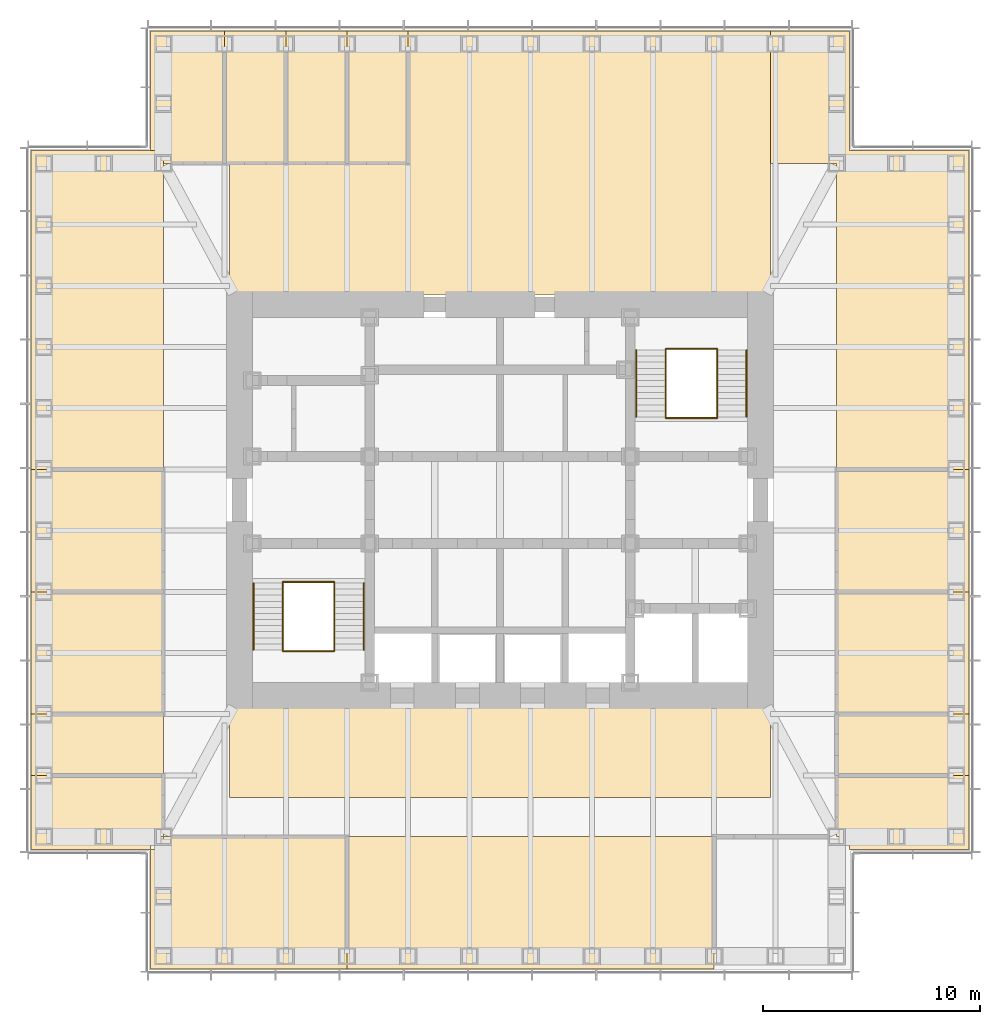
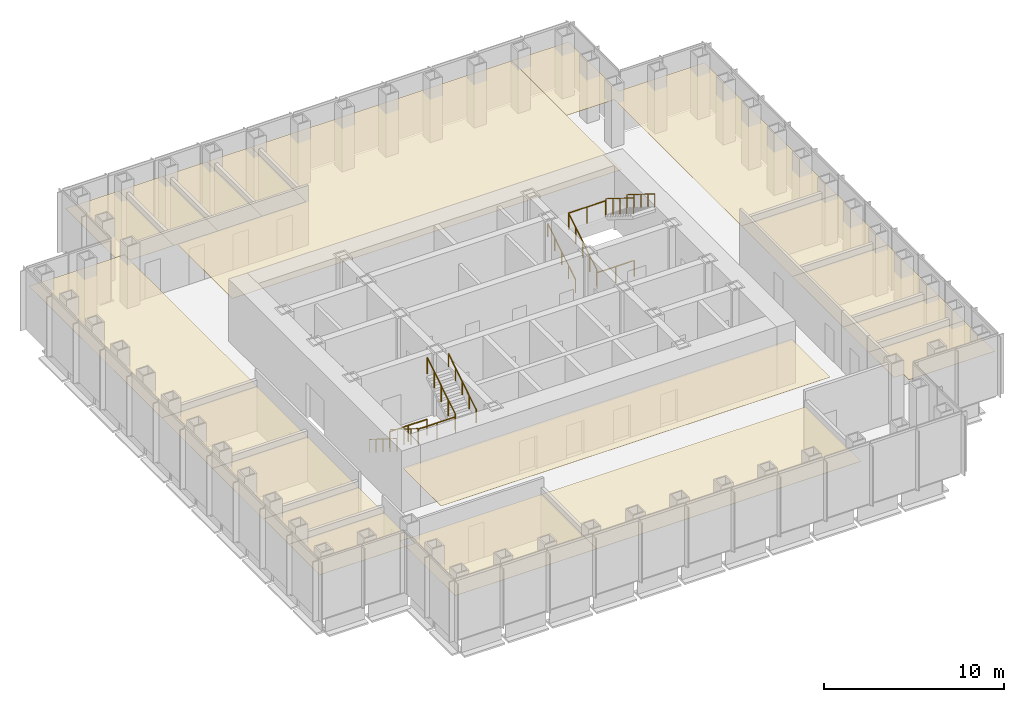
# One storey, part 16 of 16: 18 coverings, 12 railings.
"""IFC4 building model written with IfcOpenShell, lengths in metres."""

from ifc_helpers import new_model, si_unit, direction, frame, origin, origin_2d, place, context, subcontext, project, spatial, polyline, circle, outline, extrude, material, layer, layer_set, type_object, element, save


model = new_model("IFC4")

# Units and contexts
model_context = context("Model", 3, precision=1e-05, world=origin(), true_north=direction((0.0, 1.0)))
body_context = subcontext(model_context, "Body", "Model", "MODEL_VIEW")
ifc_project = project(units=[si_unit("LENGTHUNIT", "METRE"), si_unit("AREAUNIT", "SQUARE_METRE"), si_unit("VOLUMEUNIT", "CUBIC_METRE"), si_unit("PLANEANGLEUNIT", "RADIAN"), si_unit("MASSUNIT", "GRAM", prefix="KILO")], contexts=[model_context])

# Site, building, storey
site_placement = place(None, origin())
site = spatial("IfcSite", under=ifc_project, at=site_placement, CompositionType="ELEMENT")
building_placement = place(site_placement, origin())
building = spatial("IfcBuilding", under=site, at=building_placement, Name="Daluyong Arena Tower", CompositionType="ELEMENT")
storey_placement = place(building_placement, frame((0.0, 0.0, 231.699951171875)))
storey = spatial("IfcBuildingStorey", under=building, at=storey_placement, Name="L52", CompositionType="ELEMENT", Elevation=231.699951171875)

# Coverings
ifc_material_1 = material(Name="Mineral fibre ceiling tile", Category="gypsum board")
ifc_layer = layer(ifc_material_1, 0.02001953125)
ifc_layer_set = layer_set([ifc_layer], Name="Mineral fibre ceiling tile")
covering_type = type_object("IfcCoveringType", Name="Office ceiling", PredefinedType="CEILING", material=ifc_layer_set)
covering_1_placement = place(storey_placement, frame((0.0, 0.0, 2.900146484375)))
element("IfcCovering", 1, at=covering_1_placement, inside=storey, type_object=covering_type, Name="ceiling L52-01", PredefinedType="CEILING", context=body_context, shape_type="SweptSolid", body=[
    extrude(outline(polyline([(39.89990234375, 63.89990234375), (39.89990234375, 58.39990234375), (48.95458984375, 58.39990234375), (48.95458984375, 64.5), (40.5, 64.5), (40.5, 63.89990234375), (39.89990234375, 63.89990234375)])), origin(), (0.0, 0.0, 1.0), 0.02001953125),
])
covering_2_placement = place(storey_placement, frame((0.0, 0.0, 2.900146484375)))
element("IfcCovering", 2, at=covering_2_placement, inside=storey, type_object=covering_type, Name="ceiling L52-03", PredefinedType="CEILING", context=body_context, shape_type="SweptSolid", body=[
    extrude(outline(polyline([(72.10009765625, 63.89990234375), (77.60009765625, 63.89990234375), (77.60009765625, 67.318115234375), (71.5, 67.318115234375), (71.5, 64.5), (72.10009765625, 64.5), (72.10009765625, 63.89990234375)])), origin(), (0.0, 0.0, 1.0), 0.02001953125),
])
covering_3_placement = place(storey_placement, frame((0.0, 0.0, 2.900146484375)))
element("IfcCovering", 3, at=covering_3_placement, inside=storey, type_object=covering_type, Name="ceiling L52-04", PredefinedType="CEILING", context=body_context, shape_type="SweptSolid", body=[
    extrude(outline(polyline([(71.5, 67.318115234375), (77.60009765625, 67.318115234375), (77.60009765625, 70.136474609375), (71.5, 70.136474609375), (71.5, 67.318115234375)])), origin(), (0.0, 0.0, 1.0), 0.02001953125),
])
covering_4_placement = place(storey_placement, frame((0.0, 0.0, 2.900146484375)))
element("IfcCovering", 4, at=covering_4_placement, inside=storey, type_object=covering_type, Name="ceiling L52-05", PredefinedType="CEILING", context=body_context, shape_type="SweptSolid", body=[
    extrude(outline(polyline([(71.5, 70.136474609375), (77.60009765625, 70.136474609375), (77.60009765625, 75.772705078125), (71.5, 75.772705078125), (71.5, 70.136474609375)])), origin(), (0.0, 0.0, 1.0), 0.02001953125),
])
covering_5_placement = place(storey_placement, frame((0.0, 0.0, 2.900146484375)))
element("IfcCovering", 5, at=covering_5_placement, inside=storey, type_object=covering_type, Name="ceiling L52-06", PredefinedType="CEILING", context=body_context, shape_type="SweptSolid", body=[
    extrude(outline(polyline([(71.5, 75.772705078125), (77.60009765625, 75.772705078125), (77.60009765625, 81.4091796875), (71.5, 81.4091796875), (71.5, 75.772705078125)])), origin(), (0.0, 0.0, 1.0), 0.02001953125),
])
covering_6_placement = place(storey_placement, frame((0.0, 0.0, 2.900146484375)))
element("IfcCovering", 6, at=covering_6_placement, inside=storey, type_object=covering_type, Name="ceiling L52-07", PredefinedType="CEILING", context=body_context, shape_type="SweptSolid", body=[
    extrude(outline(polyline([(43.318115234375, 95.5), (43.318115234375, 101.60009765625), (39.89990234375, 101.60009765625), (39.89990234375, 96.10009765625), (40.5, 96.10009765625), (40.5, 95.5), (43.318115234375, 95.5)])), origin(), (0.0, 0.0, 1.0), 0.02001953125),
])
covering_7_placement = place(storey_placement, frame((0.0, 0.0, 2.900146484375)))
element("IfcCovering", 7, at=covering_7_placement, inside=storey, type_object=covering_type, Name="ceiling L52-08", PredefinedType="CEILING", context=body_context, shape_type="SweptSolid", body=[
    extrude(outline(polyline([(46.136474609375, 95.5), (46.136474609375, 101.60009765625), (43.318115234375, 101.60009765625), (43.318115234375, 95.5), (46.136474609375, 95.5)])), origin(), (0.0, 0.0, 1.0), 0.02001953125),
])
covering_8_placement = place(storey_placement, frame((0.0, 0.0, 2.900146484375)))
element("IfcCovering", 8, at=covering_8_placement, inside=storey, type_object=covering_type, Name="ceiling L52-09", PredefinedType="CEILING", context=body_context, shape_type="SweptSolid", body=[
    extrude(outline(polyline([(48.95458984375, 95.5), (48.95458984375, 101.60009765625), (46.136474609375, 101.60009765625), (46.136474609375, 95.5), (48.95458984375, 95.5)])), origin(), (0.0, 0.0, 1.0), 0.02001953125),
])
covering_9_placement = place(storey_placement, frame((0.0, 0.0, 2.900146484375)))
element("IfcCovering", 9, at=covering_9_placement, inside=storey, type_object=covering_type, Name="ceiling L52-10", PredefinedType="CEILING", context=body_context, shape_type="SweptSolid", body=[
    extrude(outline(polyline([(51.772705078125, 95.5), (51.772705078125, 101.60009765625), (48.95458984375, 101.60009765625), (48.95458984375, 95.5), (51.772705078125, 95.5)])), origin(), (0.0, 0.0, 1.0), 0.02001953125),
])
covering_10_placement = place(storey_placement, frame((0.0, 0.0, 2.900146484375)))
element("IfcCovering", 10, at=covering_10_placement, inside=storey, type_object=covering_type, Name="ceiling L52-11", PredefinedType="CEILING", context=body_context, shape_type="SweptSolid", body=[
    extrude(outline(polyline([(34.39990234375, 63.89990234375), (39.89990234375, 63.89990234375), (39.89990234375, 64.5), (40.5, 64.5), (40.5, 67.318115234375), (34.39990234375, 67.318115234375), (34.39990234375, 63.89990234375)])), origin(), (0.0, 0.0, 1.0), 0.02001953125),
])
covering_11_placement = place(storey_placement, frame((0.0, 0.0, 2.900146484375)))
element("IfcCovering", 11, at=covering_11_placement, inside=storey, type_object=covering_type, Name="ceiling L52-12", PredefinedType="CEILING", context=body_context, shape_type="SweptSolid", body=[
    extrude(outline(polyline([(40.5, 75.772705078125), (34.39990234375, 75.772705078125), (34.39990234375, 70.136474609375), (40.5, 70.136474609375), (40.5, 75.772705078125)])), origin(), (0.0, 0.0, 1.0), 0.02001953125),
])
covering_12_placement = place(storey_placement, frame((0.0, 0.0, 2.900146484375)))
element("IfcCovering", 12, at=covering_12_placement, inside=storey, type_object=covering_type, Name="ceiling L52-13", PredefinedType="CEILING", context=body_context, shape_type="SweptSolid", body=[
    extrude(outline(polyline([(40.5, 81.4091796875), (34.39990234375, 81.4091796875), (34.39990234375, 75.772705078125), (40.5, 75.772705078125), (40.5, 81.4091796875)])), origin(), (0.0, 0.0, 1.0), 0.02001953125),
])
covering_13_placement = place(storey_placement, frame((0.0, 0.0, 2.900146484375)))
element("IfcCovering", 13, at=covering_13_placement, inside=storey, type_object=covering_type, Name="ceiling L52-17", PredefinedType="CEILING", context=body_context, shape_type="SweptSolid", body=[
    extrude(outline(polyline([(48.95458984375, 58.39990234375), (65.863525390625, 58.39990234375), (65.863525390625, 64.5), (48.95458984375, 64.5), (48.95458984375, 58.39990234375)])), origin(), (0.0, 0.0, 1.0), 0.02001953125),
])
covering_14_placement = place(storey_placement, frame((0.0, 0.0, 2.900146484375)))
element("IfcCovering", 14, at=covering_14_placement, inside=storey, type_object=covering_type, Name="ceiling L52-18", PredefinedType="CEILING", context=body_context, shape_type="SweptSolid", body=[
    extrude(outline(polyline([(68.449951171875, 70.550048828125), (43.550048828125, 70.550048828125), (43.550048828125, 66.300048828125), (68.449951171875, 66.300048828125), (68.449951171875, 70.550048828125)])), origin(), (0.0, 0.0, 1.0), 0.02001953125),
])
covering_15_placement = place(storey_placement, frame((0.0, 0.0, 2.900146484375)))
element("IfcCovering", 15, at=covering_15_placement, inside=storey, type_object=covering_type, Name="ceiling L52-19", PredefinedType="CEILING", context=body_context, shape_type="SweptSolid", body=[
    extrude(outline(polyline([(72.10009765625, 101.60009765625), (68.449951171875, 101.60009765625), (68.449951171875, 95.5), (71.5, 95.5), (71.5, 81.4091796875), (77.60009765625, 81.4091796875), (77.60009765625, 96.10009765625), (72.10009765625, 96.10009765625), (72.10009765625, 101.60009765625)])), origin(), (0.0, 0.0, 1.0), 0.02001953125),
])
covering_16_placement = place(storey_placement, frame((0.0, 0.0, 2.900146484375)))
element("IfcCovering", 16, at=covering_16_placement, inside=storey, type_object=covering_type, Name="ceiling L52-20", PredefinedType="CEILING", context=body_context, shape_type="SweptSolid", body=[
    extrude(outline(polyline([(51.772705078125, 101.60009765625), (51.772705078125, 95.5), (43.550048828125, 95.5), (43.550048828125, 89.449951171875), (68.449951171875, 89.449951171875), (68.449951171875, 101.60009765625), (51.772705078125, 101.60009765625)])), origin(), (0.0, 0.0, 1.0), 0.02001953125),
])
covering_17_placement = place(storey_placement, frame((0.0, 0.0, 2.900146484375)))
element("IfcCovering", 17, at=covering_17_placement, inside=storey, type_object=covering_type, Name="ceiling L52-21", PredefinedType="CEILING", context=body_context, shape_type="SweptSolid", body=[
    extrude(outline(polyline([(34.39990234375, 70.136474609375), (34.39990234375, 67.318115234375), (40.5, 67.318115234375), (40.5, 70.136474609375), (34.39990234375, 70.136474609375)])), origin(), (0.0, 0.0, 1.0), 0.02001953125),
])
covering_18_placement = place(storey_placement, frame((0.0, 0.0, 2.900146484375)))
element("IfcCovering", 18, at=covering_18_placement, inside=storey, type_object=covering_type, Name="ceiling L52-22", PredefinedType="CEILING", context=body_context, shape_type="SweptSolid", body=[
    extrude(outline(polyline([(40.5, 96.10009765625), (34.39990234375, 96.10009765625), (34.39990234375, 81.4091796875), (40.5, 81.4091796875), (40.5, 96.10009765625)])), origin(), (0.0, 0.0, 1.0), 0.02001953125),
])

# Railings
ifc_material_2 = material(Name="Stainless steel handrail", Category="steel")
railing_type_1 = type_object("IfcRailingType", Name="Stair handrail", PredefinedType="HANDRAIL", material=ifc_material_2)
railing_1_placement = place(storey_placement, frame((44.64990234375, 76.175048828125, 0.175048828125)))
element("IfcRailing", 19, at=railing_1_placement, inside=storey, type_object=railing_type_1, Name="exit stair A handrail L52", PredefinedType="HANDRAIL", context=body_context, shape_type="SweptSolid", body=[
    extrude(circle(Radius=0.02392578125, at=origin_2d()), frame((0.0, 0.0, 0.8759765625), z_axis=(0.0, -0.847998304005, 0.529998940003), x_axis=(1.0, 0.0, 0.0)), (0.0, 0.0, 1.0), 3.632080078125),
    extrude(circle(Radius=0.02099609375, at=origin_2d()), origin(), (0.0, 0.0, 1.0), 0.851806640625),
    extrude(circle(Radius=0.02099609375, at=origin_2d()), frame((0.0, -0.77001953125, 0.481201171875)), (0.0, 0.0, 1.0), 0.851806640625),
    extrude(circle(Radius=0.02099609375, at=origin_2d()), frame((0.0, -1.5400390625, 0.96240234375)), (0.0, 0.0, 1.0), 0.851806640625),
    extrude(circle(Radius=0.02099609375, at=origin_2d()), frame((0.0, -2.31005859375, 1.44384765625)), (0.0, 0.0, 1.0), 0.851806640625),
    extrude(circle(Radius=0.02099609375, at=origin_2d()), frame((0.0, -3.080078125, 1.925048828125)), (0.0, 0.0, 1.0), 0.851806640625),
])
railing_2_placement = place(storey_placement, frame((49.72509765625, 73.094970703125, 2.275146484375)))
element("IfcRailing", 20, at=railing_2_placement, inside=storey, type_object=railing_type_1, Name="exit stair A handrail L52", PredefinedType="HANDRAIL", context=body_context, shape_type="SweptSolid", body=[
    extrude(circle(Radius=0.02392578125, at=origin_2d()), frame((0.0, 0.0, 0.8759765625), z_axis=(0.0, 0.848028513186, 0.529950602248), x_axis=(-1.0, 0.0, 0.0)), (0.0, 0.0, 1.0), 3.632080078125),
    extrude(circle(Radius=0.02099609375, at=origin_2d()), origin(), (0.0, 0.0, 1.0), 0.851806640625),
    extrude(circle(Radius=0.02099609375, at=origin_2d()), frame((0.0, 0.77001953125, 0.481201171875)), (0.0, 0.0, 1.0), 0.851806640625),
    extrude(circle(Radius=0.02099609375, at=origin_2d()), frame((0.0, 1.5400390625, 0.96240234375)), (0.0, 0.0, 1.0), 0.851806640625),
    extrude(circle(Radius=0.02099609375, at=origin_2d()), frame((0.0, 2.31005859375, 1.443603515625)), (0.0, 0.0, 1.0), 0.851806640625),
    extrude(circle(Radius=0.02099609375, at=origin_2d()), frame((0.0, 3.080078125, 1.9248046875)), (0.0, 0.0, 1.0), 0.851806640625),
])
railing_3_placement = place(storey_placement, frame((62.27490234375, 83.824951171875, 0.175048828125)))
element("IfcRailing", 21, at=railing_3_placement, inside=storey, type_object=railing_type_1, Name="exit stair B handrail L52", PredefinedType="HANDRAIL", context=body_context, shape_type="SweptSolid", body=[
    extrude(circle(Radius=0.02392578125, at=origin_2d()), frame((0.0, 0.0, 0.8759765625), z_axis=(0.0, 0.847998304005, 0.529998940003), x_axis=(-1.0, 0.0, 0.0)), (0.0, 0.0, 1.0), 3.632080078125),
    extrude(circle(Radius=0.02099609375, at=origin_2d()), origin(), (0.0, 0.0, 1.0), 0.851806640625),
    extrude(circle(Radius=0.02099609375, at=origin_2d()), frame((0.0, 0.77001953125, 0.481201171875)), (0.0, 0.0, 1.0), 0.851806640625),
    extrude(circle(Radius=0.02099609375, at=origin_2d()), frame((0.0, 1.5400390625, 0.96240234375)), (0.0, 0.0, 1.0), 0.851806640625),
    extrude(circle(Radius=0.02099609375, at=origin_2d()), frame((0.0, 2.31005859375, 1.44384765625)), (0.0, 0.0, 1.0), 0.851806640625),
    extrude(circle(Radius=0.02099609375, at=origin_2d()), frame((0.0, 3.080078125, 1.925048828125)), (0.0, 0.0, 1.0), 0.851806640625),
])
railing_4_placement = place(storey_placement, frame((67.35009765625, 86.905029296875, 2.275146484375)))
element("IfcRailing", 22, at=railing_4_placement, inside=storey, type_object=railing_type_1, Name="exit stair B handrail L52", PredefinedType="HANDRAIL", context=body_context, shape_type="SweptSolid", body=[
    extrude(circle(Radius=0.02392578125, at=origin_2d()), frame((0.0, 0.0, 0.8759765625), z_axis=(0.0, -0.848028513186, 0.529950602248), x_axis=(1.0, 0.0, 0.0)), (0.0, 0.0, 1.0), 3.632080078125),
    extrude(circle(Radius=0.02099609375, at=origin_2d()), origin(), (0.0, 0.0, 1.0), 0.851806640625),
    extrude(circle(Radius=0.02099609375, at=origin_2d()), frame((0.0, -0.77001953125, 0.481201171875)), (0.0, 0.0, 1.0), 0.851806640625),
    extrude(circle(Radius=0.02099609375, at=origin_2d()), frame((0.0, -1.5400390625, 0.96240234375)), (0.0, 0.0, 1.0), 0.851806640625),
    extrude(circle(Radius=0.02099609375, at=origin_2d()), frame((0.0, -2.31005859375, 1.443603515625)), (0.0, 0.0, 1.0), 0.851806640625),
    extrude(circle(Radius=0.02099609375, at=origin_2d()), frame((0.0, -3.080078125, 1.9248046875)), (0.0, 0.0, 1.0), 0.851806640625),
])
ifc_material_3 = material(Name="Steel balustrade", Category="steel")
railing_type_2 = type_object("IfcRailingType", Name="Stair well guard 1100", PredefinedType="GUARDRAIL", material=ifc_material_3)
railing_5_placement = place(storey_placement, frame((46.0, 76.175048828125, 0.175048828125)))
element("IfcRailing", 23, at=railing_5_placement, inside=storey, type_object=railing_type_2, Name="exit stair A well guard L52", PredefinedType="GUARDRAIL", context=body_context, shape_type="SweptSolid", body=[
    extrude(circle(Radius=0.02392578125, at=origin_2d()), frame((0.0, 0.0, 1.076171875), z_axis=(0.0, -0.847998304005, 0.529998940003), x_axis=(1.0, 0.0, 0.0)), (0.0, 0.0, 1.0), 3.632080078125),
    extrude(circle(Radius=0.02099609375, at=origin_2d()), origin(), (0.0, 0.0, 1.0), 1.052001953125),
    extrude(circle(Radius=0.02099609375, at=origin_2d()), frame((0.0, -0.77001953125, 0.481201171875)), (0.0, 0.0, 1.0), 1.052001953125),
    extrude(circle(Radius=0.02099609375, at=origin_2d()), frame((0.0, -1.5400390625, 0.96240234375)), (0.0, 0.0, 1.0), 1.052001953125),
    extrude(circle(Radius=0.02099609375, at=origin_2d()), frame((0.0, -2.31005859375, 1.44384765625)), (0.0, 0.0, 1.0), 1.052001953125),
    extrude(circle(Radius=0.02099609375, at=origin_2d()), frame((0.0, -3.080078125, 1.925048828125)), (0.0, 0.0, 1.0), 1.052001953125),
])
railing_6_placement = place(storey_placement, frame((48.375, 73.094970703125, 2.275146484375)))
element("IfcRailing", 24, at=railing_6_placement, inside=storey, type_object=railing_type_2, Name="exit stair A well guard L52", PredefinedType="GUARDRAIL", context=body_context, shape_type="SweptSolid", body=[
    extrude(circle(Radius=0.02392578125, at=origin_2d()), frame((0.0, 0.0, 1.076171875), z_axis=(0.0, 0.848028513186, 0.529950602248), x_axis=(-1.0, 0.0, 0.0)), (0.0, 0.0, 1.0), 3.632080078125),
    extrude(circle(Radius=0.02099609375, at=origin_2d()), origin(), (0.0, 0.0, 1.0), 1.052001953125),
    extrude(circle(Radius=0.02099609375, at=origin_2d()), frame((0.0, 0.77001953125, 0.481201171875)), (0.0, 0.0, 1.0), 1.052001953125),
    extrude(circle(Radius=0.02099609375, at=origin_2d()), frame((0.0, 1.5400390625, 0.96240234375)), (0.0, 0.0, 1.0), 1.052001953125),
    extrude(circle(Radius=0.02099609375, at=origin_2d()), frame((0.0, 2.31005859375, 1.443603515625)), (0.0, 0.0, 1.0), 1.052001953125),
    extrude(circle(Radius=0.02099609375, at=origin_2d()), frame((0.0, 3.080078125, 1.9248046875)), (0.0, 0.0, 1.0), 1.052001953125),
])
for number, where, name in (
    (25, (46.0, 73.044921875, 2.10009765625), "exit stair A landing guard L52"),
    (26, (46.0, 76.22509765625, 0.0), "exit stair A floor landing guard L52"),
):
    element("IfcRailing", number, at=place(storey_placement, frame(where)), inside=storey, type_object=railing_type_2, Name=name, PredefinedType="GUARDRAIL", context=body_context, shape_type="SweptSolid", body=[
        extrude(circle(Radius=0.02392578125, at=origin_2d()), frame((0.0, 0.0, 1.076171875), z_axis=(1.0, 0.0, 0.0), x_axis=(0.0, 1.0, 0.0)), (0.0, 0.0, 1.0), 2.375),
        extrude(circle(Radius=0.02099609375, at=origin_2d()), origin(), (0.0, 0.0, 1.0), 1.052001953125),
        extrude(circle(Radius=0.02099609375, at=origin_2d()), frame((1.1875, 0.0, 0.0)), (0.0, 0.0, 1.0), 1.052001953125),
        extrude(circle(Radius=0.02099609375, at=origin_2d()), frame((2.375, 0.0, 0.0)), (0.0, 0.0, 1.0), 1.052001953125),
    ])
railing_7_placement = place(storey_placement, frame((63.625, 83.824951171875, 0.175048828125)))
element("IfcRailing", 27, at=railing_7_placement, inside=storey, type_object=railing_type_2, Name="exit stair B well guard L52", PredefinedType="GUARDRAIL", context=body_context, shape_type="SweptSolid", body=[
    extrude(circle(Radius=0.02392578125, at=origin_2d()), frame((0.0, 0.0, 1.076171875), z_axis=(0.0, 0.847998304005, 0.529998940003), x_axis=(-1.0, 0.0, 0.0)), (0.0, 0.0, 1.0), 3.632080078125),
    extrude(circle(Radius=0.02099609375, at=origin_2d()), origin(), (0.0, 0.0, 1.0), 1.052001953125),
    extrude(circle(Radius=0.02099609375, at=origin_2d()), frame((0.0, 0.77001953125, 0.481201171875)), (0.0, 0.0, 1.0), 1.052001953125),
    extrude(circle(Radius=0.02099609375, at=origin_2d()), frame((0.0, 1.5400390625, 0.96240234375)), (0.0, 0.0, 1.0), 1.052001953125),
    extrude(circle(Radius=0.02099609375, at=origin_2d()), frame((0.0, 2.31005859375, 1.44384765625)), (0.0, 0.0, 1.0), 1.052001953125),
    extrude(circle(Radius=0.02099609375, at=origin_2d()), frame((0.0, 3.080078125, 1.925048828125)), (0.0, 0.0, 1.0), 1.052001953125),
])
railing_8_placement = place(storey_placement, frame((66.0, 86.905029296875, 2.275146484375)))
element("IfcRailing", 28, at=railing_8_placement, inside=storey, type_object=railing_type_2, Name="exit stair B well guard L52", PredefinedType="GUARDRAIL", context=body_context, shape_type="SweptSolid", body=[
    extrude(circle(Radius=0.02392578125, at=origin_2d()), frame((0.0, 0.0, 1.076171875), z_axis=(0.0, -0.848028513186, 0.529950602248), x_axis=(1.0, 0.0, 0.0)), (0.0, 0.0, 1.0), 3.632080078125),
    extrude(circle(Radius=0.02099609375, at=origin_2d()), origin(), (0.0, 0.0, 1.0), 1.052001953125),
    extrude(circle(Radius=0.02099609375, at=origin_2d()), frame((0.0, -0.77001953125, 0.481201171875)), (0.0, 0.0, 1.0), 1.052001953125),
    extrude(circle(Radius=0.02099609375, at=origin_2d()), frame((0.0, -1.5400390625, 0.96240234375)), (0.0, 0.0, 1.0), 1.052001953125),
    extrude(circle(Radius=0.02099609375, at=origin_2d()), frame((0.0, -2.31005859375, 1.443603515625)), (0.0, 0.0, 1.0), 1.052001953125),
    extrude(circle(Radius=0.02099609375, at=origin_2d()), frame((0.0, -3.080078125, 1.9248046875)), (0.0, 0.0, 1.0), 1.052001953125),
])
for number, where, name in (
    (29, (63.625, 86.955078125, 2.10009765625), "exit stair B landing guard L52"),
    (30, (63.625, 83.77490234375, 0.0), "exit stair B floor landing guard L52"),
):
    element("IfcRailing", number, at=place(storey_placement, frame(where)), inside=storey, type_object=railing_type_2, Name=name, PredefinedType="GUARDRAIL", context=body_context, shape_type="SweptSolid", body=[
        extrude(circle(Radius=0.02392578125, at=origin_2d()), frame((0.0, 0.0, 1.076171875), z_axis=(1.0, 0.0, 0.0), x_axis=(0.0, 1.0, 0.0)), (0.0, 0.0, 1.0), 2.375),
        extrude(circle(Radius=0.02099609375, at=origin_2d()), origin(), (0.0, 0.0, 1.0), 1.052001953125),
        extrude(circle(Radius=0.02099609375, at=origin_2d()), frame((1.1875, 0.0, 0.0)), (0.0, 0.0, 1.0), 1.052001953125),
        extrude(circle(Radius=0.02099609375, at=origin_2d()), frame((2.375, 0.0, 0.0)), (0.0, 0.0, 1.0), 1.052001953125),
    ])

save(model, "model.ifc")
